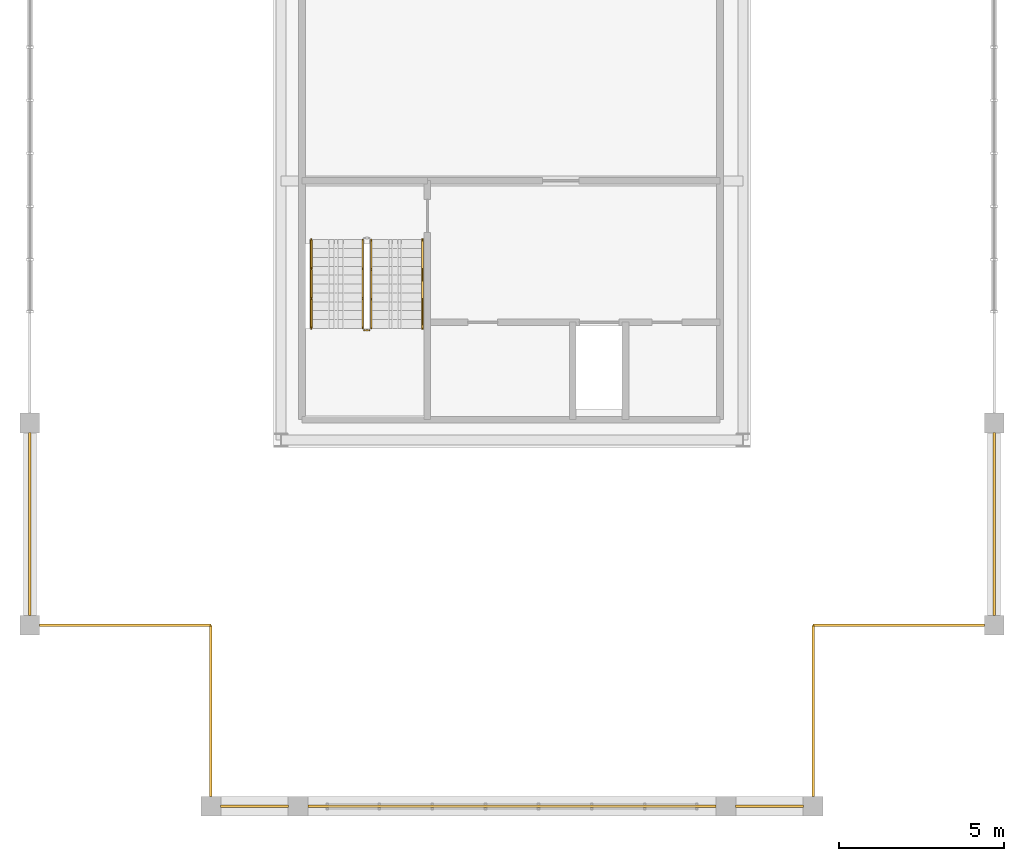
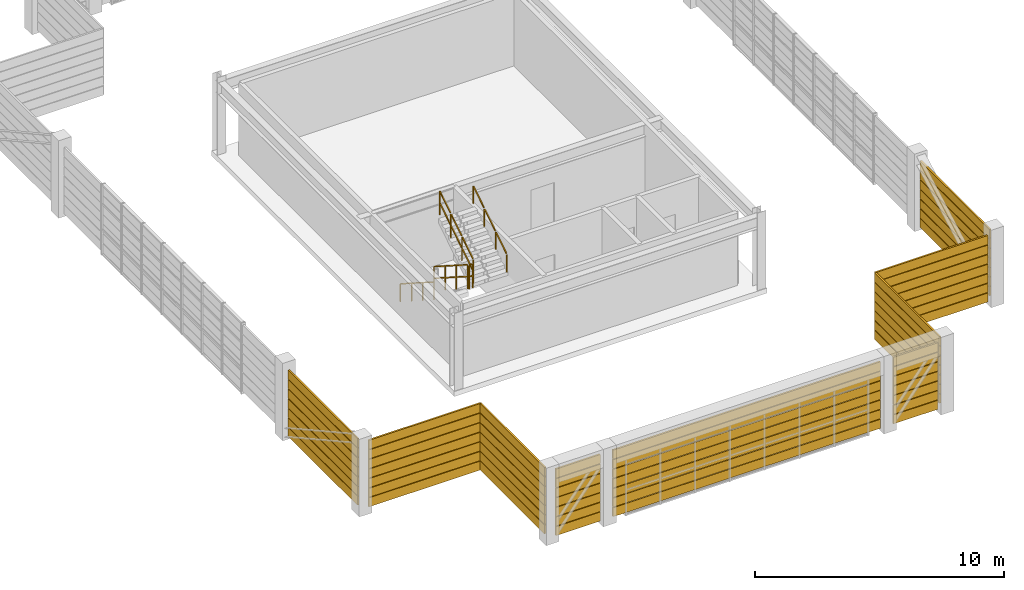
# One storey, part 19 of 21: 63 shading devices, 5 railings.
"""IFC4 building model written with IfcOpenShell, lengths in metres."""

from ifc_helpers import new_model, si_unit, direction, frame, origin, origin_2d, place, context, subcontext, project, spatial, rectangle, extrude, source, transform, mapped, material, material_profile, profile_set, type_object, element, save


model = new_model("IFC4")

# Units and contexts
model_context = context("Model", 3, precision=1e-05, world=origin(), true_north=direction((0.0, 1.0)))
body_context = subcontext(model_context, "Body", "Model", "MODEL_VIEW")
ifc_project = project(units=[si_unit("LENGTHUNIT", "METRE"), si_unit("AREAUNIT", "SQUARE_METRE"), si_unit("VOLUMEUNIT", "CUBIC_METRE"), si_unit("PLANEANGLEUNIT", "RADIAN"), si_unit("MASSUNIT", "GRAM", prefix="KILO")], contexts=[model_context])

# Site, building, storey
site_placement = place(None, origin())
site = spatial("IfcSite", under=ifc_project, at=site_placement, CompositionType="ELEMENT")
building_placement = place(site_placement, origin())
building = spatial("IfcBuilding", under=site, at=building_placement, Name="Saelheon Loggia Tower", CompositionType="ELEMENT")
storey_placement = place(building_placement, frame((0.0, 0.0, 259.800048828125)))
storey = spatial("IfcBuildingStorey", under=building, at=storey_placement, Name="CR3", CompositionType="ELEMENT", Elevation=259.800048828125)

# Railings
ifc_material_1 = material(Name="Galvanised Steel S275 Stairwell Guardrail", Category="steel")
railing_type_1 = type_object("IfcRailingType", Name="Guard_StairWell_RL_STG", PredefinedType="GUARDRAIL", material=ifc_material_1)
railing_1_placement = place(storey_placement, frame((33.4599609375, 23.570068359375, 0.172607421875)))
element("IfcRailing", 1, at=railing_1_placement, inside=storey, type_object=railing_type_1, Name="CR3 ST5 stair guard 1", PredefinedType="GUARDRAIL", context=body_context, shape_type="SweptSolid", body=[
    extrude(rectangle(XDim=0.048095703125, YDim=0.048095703125, at=origin_2d()), frame((0.0, -0.028076171875, 1.19384765625), z_axis=(0.0, -0.842366838036, 0.538904546443), x_axis=(1.0, 0.0, 0.0)), (0.0, 0.0, 1.0), 1.001953125),
    extrude(rectangle(XDim=0.048095703125, YDim=0.048095703125, at=origin_2d()), frame((0.0, -0.028076171875, 0.617919921875), z_axis=(0.0, -0.842366838036, 0.538904546443), x_axis=(1.0, 0.0, 0.0)), (0.0, 0.0, 1.0), 1.001953125),
    extrude(rectangle(XDim=0.048095703125, YDim=0.048095703125, at=origin_2d()), frame((0.0, -0.927978515625, 1.76953125), z_axis=(0.0, -0.842366838036, 0.538904546443), x_axis=(1.0, 0.0, 0.0)), (0.0, 0.0, 1.0), 1.001953125),
    extrude(rectangle(XDim=0.048095703125, YDim=0.048095703125, at=origin_2d()), frame((0.0, -0.927978515625, 1.193603515625), z_axis=(0.0, -0.842366838036, 0.538904546443), x_axis=(1.0, 0.0, 0.0)), (0.0, 0.0, 1.0), 1.001953125),
    extrude(rectangle(XDim=0.048095703125, YDim=0.048095703125, at=origin_2d()), frame((0.0, -1.827880859375, 2.345458984375), z_axis=(0.0, -0.842366838036, 0.538904546443), x_axis=(1.0, 0.0, 0.0)), (0.0, 0.0, 1.0), 1.001953125),
    extrude(rectangle(XDim=0.048095703125, YDim=0.048095703125, at=origin_2d()), frame((0.0, -1.827880859375, 1.76953125), z_axis=(0.0, -0.842366838036, 0.538904546443), x_axis=(1.0, 0.0, 0.0)), (0.0, 0.0, 1.0), 1.001953125),
    extrude(rectangle(XDim=0.0419921875, YDim=0.0419921875, at=origin_2d()), origin(), (0.0, 0.0, 1.0), 1.14794921875),
    extrude(rectangle(XDim=0.0419921875, YDim=0.0419921875, at=origin_2d()), frame((0.0, -0.89990234375, 0.57568359375)), (0.0, 0.0, 1.0), 1.14794921875),
    extrude(rectangle(XDim=0.0419921875, YDim=0.0419921875, at=origin_2d()), frame((0.0, -1.800048828125, 1.151611328125)), (0.0, 0.0, 1.0), 1.14794921875),
    extrude(rectangle(XDim=0.0419921875, YDim=0.0419921875, at=origin_2d()), frame((0.0, -2.699951171875, 1.727294921875)), (0.0, 0.0, 1.0), 1.14794921875),
])
railing_2_placement = place(storey_placement, frame((33.510009765625, 20.820068359375, 1.89990234375)))
element("IfcRailing", 2, at=railing_2_placement, inside=storey, type_object=railing_type_1, Name="CR3 ST5 stair guard 2", PredefinedType="GUARDRAIL", context=body_context, shape_type="SweptSolid", body=[
    extrude(rectangle(XDim=0.048095703125, YDim=0.048095703125, at=origin_2d()), frame((0.033203125, 0.0, 1.17578125), z_axis=(1.0, 0.0, 0.0), x_axis=(0.0, 1.0, 0.0)), (0.0, 0.0, 1.0), 0.093505859375),
    extrude(rectangle(XDim=0.048095703125, YDim=0.048095703125, at=origin_2d()), frame((0.033203125, 0.0, 0.60009765625), z_axis=(1.0, 0.0, 0.0), x_axis=(0.0, 1.0, 0.0)), (0.0, 0.0, 1.0), 0.093505859375),
    extrude(rectangle(XDim=0.0419921875, YDim=0.0419921875, at=origin_2d()), origin(), (0.0, 0.0, 1.0), 1.14794921875),
    extrude(rectangle(XDim=0.0419921875, YDim=0.0419921875, at=origin_2d()), frame((0.159912109375, 0.0, 0.0)), (0.0, 0.0, 1.0), 1.14794921875),
])
railing_3_placement = place(storey_placement, frame((33.719970703125, 20.8701171875, 2.07275390625)))
element("IfcRailing", 3, at=railing_3_placement, inside=storey, type_object=railing_type_1, Name="CR3 ST5 stair guard 3", PredefinedType="GUARDRAIL", context=body_context, shape_type="SweptSolid", body=[
    extrude(rectangle(XDim=0.048095703125, YDim=0.048095703125, at=origin_2d()), frame((0.0, 0.028076171875, 1.19384765625), z_axis=(0.0, 0.842366838036, 0.538904546443), x_axis=(-1.0, 0.0, 0.0)), (0.0, 0.0, 1.0), 1.001953125),
    extrude(rectangle(XDim=0.048095703125, YDim=0.048095703125, at=origin_2d()), frame((0.0, 0.028076171875, 0.617919921875), z_axis=(0.0, 0.842366838036, 0.538904546443), x_axis=(-1.0, 0.0, 0.0)), (0.0, 0.0, 1.0), 1.001953125),
    extrude(rectangle(XDim=0.048095703125, YDim=0.048095703125, at=origin_2d()), frame((0.0, 0.927978515625, 1.76953125), z_axis=(0.0, 0.842366838036, 0.538904546443), x_axis=(-1.0, 0.0, 0.0)), (0.0, 0.0, 1.0), 1.001953125),
    extrude(rectangle(XDim=0.048095703125, YDim=0.048095703125, at=origin_2d()), frame((0.0, 0.927978515625, 1.193603515625), z_axis=(0.0, 0.842366838036, 0.538904546443), x_axis=(-1.0, 0.0, 0.0)), (0.0, 0.0, 1.0), 1.001953125),
    extrude(rectangle(XDim=0.048095703125, YDim=0.048095703125, at=origin_2d()), frame((0.0, 1.827880859375, 2.345458984375), z_axis=(0.0, 0.842366838036, 0.538904546443), x_axis=(-1.0, 0.0, 0.0)), (0.0, 0.0, 1.0), 1.001953125),
    extrude(rectangle(XDim=0.048095703125, YDim=0.048095703125, at=origin_2d()), frame((0.0, 1.827880859375, 1.76953125), z_axis=(0.0, 0.842366838036, 0.538904546443), x_axis=(-1.0, 0.0, 0.0)), (0.0, 0.0, 1.0), 1.001953125),
    extrude(rectangle(XDim=0.0419921875, YDim=0.0419921875, at=origin_2d()), origin(), (0.0, 0.0, 1.0), 1.14794921875),
    extrude(rectangle(XDim=0.0419921875, YDim=0.0419921875, at=origin_2d()), frame((0.0, 0.89990234375, 0.57568359375)), (0.0, 0.0, 1.0), 1.14794921875),
    extrude(rectangle(XDim=0.0419921875, YDim=0.0419921875, at=origin_2d()), frame((0.0, 1.800048828125, 1.151611328125)), (0.0, 0.0, 1.0), 1.14794921875),
    extrude(rectangle(XDim=0.0419921875, YDim=0.0419921875, at=origin_2d()), frame((0.0, 2.699951171875, 1.727294921875)), (0.0, 0.0, 1.0), 1.14794921875),
])
ifc_material_2 = material(Name="Stainless Steel 304 Tubular Handrail", Category="steel")
railing_type_2 = type_object("IfcRailingType", Name="Handrail_Stair_RL_HR1", PredefinedType="HANDRAIL", material=ifc_material_2)
railing_4_placement = place(storey_placement, frame((31.89990234375, 23.570068359375, 0.172607421875)))
element("IfcRailing", 4, at=railing_4_placement, inside=storey, type_object=railing_type_2, Name="CR3 ST5 stair handrail 1", PredefinedType="HANDRAIL", context=body_context, shape_type="SweptSolid", body=[
    extrude(rectangle(XDim=0.048095703125, YDim=0.048095703125, at=origin_2d()), frame((0.0, -0.028076171875, 0.893798828125), z_axis=(0.0, -0.842366838036, 0.538904546443), x_axis=(1.0, 0.0, 0.0)), (0.0, 0.0, 1.0), 1.001953125),
    extrude(rectangle(XDim=0.048095703125, YDim=0.048095703125, at=origin_2d()), frame((0.0, -0.927978515625, 1.469482421875), z_axis=(0.0, -0.842366838036, 0.538904546443), x_axis=(1.0, 0.0, 0.0)), (0.0, 0.0, 1.0), 1.001953125),
    extrude(rectangle(XDim=0.048095703125, YDim=0.048095703125, at=origin_2d()), frame((0.0, -1.827880859375, 2.04541015625), z_axis=(0.0, -0.842366838036, 0.538904546443), x_axis=(1.0, 0.0, 0.0)), (0.0, 0.0, 1.0), 1.001953125),
    extrude(rectangle(XDim=0.0419921875, YDim=0.0419921875, at=origin_2d()), origin(), (0.0, 0.0, 1.0), 0.847900390625),
    extrude(rectangle(XDim=0.0419921875, YDim=0.0419921875, at=origin_2d()), frame((0.0, -0.89990234375, 0.57568359375)), (0.0, 0.0, 1.0), 0.847900390625),
    extrude(rectangle(XDim=0.0419921875, YDim=0.0419921875, at=origin_2d()), frame((0.0, -1.800048828125, 1.151611328125)), (0.0, 0.0, 1.0), 0.847900390625),
    extrude(rectangle(XDim=0.0419921875, YDim=0.0419921875, at=origin_2d()), frame((0.0, -2.699951171875, 1.727294921875)), (0.0, 0.0, 1.0), 0.847900390625),
])
railing_5_placement = place(storey_placement, frame((35.280029296875, 20.8701171875, 2.07275390625)))
element("IfcRailing", 5, at=railing_5_placement, inside=storey, type_object=railing_type_2, Name="CR3 ST5 stair handrail 2", PredefinedType="HANDRAIL", context=body_context, shape_type="SweptSolid", body=[
    extrude(rectangle(XDim=0.048095703125, YDim=0.048095703125, at=origin_2d()), frame((0.0, 0.028076171875, 0.893798828125), z_axis=(0.0, 0.842366838036, 0.538904546443), x_axis=(-1.0, 0.0, 0.0)), (0.0, 0.0, 1.0), 1.001953125),
    extrude(rectangle(XDim=0.048095703125, YDim=0.048095703125, at=origin_2d()), frame((0.0, 0.927978515625, 1.469482421875), z_axis=(0.0, 0.842366838036, 0.538904546443), x_axis=(-1.0, 0.0, 0.0)), (0.0, 0.0, 1.0), 1.001953125),
    extrude(rectangle(XDim=0.048095703125, YDim=0.048095703125, at=origin_2d()), frame((0.0, 1.827880859375, 2.04541015625), z_axis=(0.0, 0.842366838036, 0.538904546443), x_axis=(-1.0, 0.0, 0.0)), (0.0, 0.0, 1.0), 1.001953125),
    extrude(rectangle(XDim=0.0419921875, YDim=0.0419921875, at=origin_2d()), origin(), (0.0, 0.0, 1.0), 0.847900390625),
    extrude(rectangle(XDim=0.0419921875, YDim=0.0419921875, at=origin_2d()), frame((0.0, 0.89990234375, 0.57568359375)), (0.0, 0.0, 1.0), 0.847900390625),
    extrude(rectangle(XDim=0.0419921875, YDim=0.0419921875, at=origin_2d()), frame((0.0, 1.800048828125, 1.151611328125)), (0.0, 0.0, 1.0), 0.847900390625),
    extrude(rectangle(XDim=0.0419921875, YDim=0.0419921875, at=origin_2d()), frame((0.0, 2.699951171875, 1.727294921875)), (0.0, 0.0, 1.0), 0.847900390625),
])

# Shading devices
ifc_material_3 = material(Name="Bronze-Anodised Aluminium 6063-T6", Category="aluminium")
ifc_material_profile = material_profile(ifc_material_3, rectangle(XDim=0.080078125, YDim=0.43994140625, at=origin_2d()), Name="Louvre_CrownBlade_250")
ifc_profile_set = profile_set([ifc_material_profile], Name="Bronze-Anodised Aluminium 6063-T6")
shading_device_type = type_object("IfcShadingDeviceType", Name="Louvre_CrownBlade_250", PredefinedType="AWNING", material=ifc_profile_set)
shared_shape_1 = source(origin(), body_context, "Body", "SweptSolid", [
    extrude(rectangle(XDim=0.080078125, YDim=0.43994140625, at=origin_2d()), origin(), (0.0, 0.0, 1.0), 2.06005859375),
])
for number, where, z_axis, x_axis, name in (
    (6, (29.14501953125, 6.35009765625, 0.349853515625), (1.0, 0.0, 0.0), (0.0, 1.0, 0.0), "CR3 Crown Screen Horizontal Blade"),
    (7, (29.14501953125, 6.35009765625, 0.820068359375), (1.0, 0.0, 0.0), (0.0, 1.0, 0.0), "CR3 Crown Screen Horizontal Blade"),
    (8, (29.14501953125, 6.35009765625, 1.2900390625), (1.0, 0.0, 0.0), (0.0, 1.0, 0.0), "CR3 Crown Screen Horizontal Blade"),
    (9, (29.14501953125, 6.35009765625, 1.760009765625), (1.0, 0.0, 0.0), (0.0, 1.0, 0.0), "CR3 Crown Screen Horizontal Blade"),
    (10, (29.14501953125, 6.35009765625, 2.22998046875), (1.0, 0.0, 0.0), (0.0, 1.0, 0.0), "CR3 Crown Screen Horizontal Blade"),
    (11, (29.14501953125, 6.35009765625, 2.699951171875), (1.0, 0.0, 0.0), (0.0, 1.0, 0.0), "CR3 Crown Screen Horizontal Blade"),
    (12, (29.14501953125, 6.35009765625, 3.169921875), (1.0, 0.0, 0.0), (0.0, 1.0, 0.0), "CR3 Crown Screen Horizontal Blade"),
    (13, (44.794921875, 6.35009765625, 0.349853515625), (1.0, 0.0, 0.0), (0.0, 1.0, 0.0), "CR3 Crown Screen Horizontal Blade"),
    (14, (44.794921875, 6.35009765625, 0.820068359375), (1.0, 0.0, 0.0), (0.0, 1.0, 0.0), "CR3 Crown Screen Horizontal Blade"),
    (15, (44.794921875, 6.35009765625, 1.2900390625), (1.0, 0.0, 0.0), (0.0, 1.0, 0.0), "CR3 Crown Screen Horizontal Blade"),
    (16, (44.794921875, 6.35009765625, 1.760009765625), (1.0, 0.0, 0.0), (0.0, 1.0, 0.0), "CR3 Crown Screen Horizontal Blade"),
    (17, (44.794921875, 6.35009765625, 2.22998046875), (1.0, 0.0, 0.0), (0.0, 1.0, 0.0), "CR3 Crown Screen Horizontal Blade"),
    (18, (44.794921875, 6.35009765625, 2.699951171875), (1.0, 0.0, 0.0), (0.0, 1.0, 0.0), "CR3 Crown Screen Horizontal Blade"),
    (19, (44.794921875, 6.35009765625, 3.169921875), (1.0, 0.0, 0.0), (0.0, 1.0, 0.0), "CR3 Crown Screen Horizontal Blade"),
):
    element("IfcShadingDevice", number, at=place(storey_placement, frame(where, z_axis=z_axis, x_axis=x_axis)), inside=storey, type_object=shading_device_type, Name=name, PredefinedType="AWNING", context=body_context, shape_type="MappedRepresentation", body=[
        mapped(shared_shape_1, transform((0.0, 0.0, 0.0), scale=1.0)),
    ])
shared_shape_2 = source(origin(), body_context, "Body", "SweptSolid", [
    extrude(rectangle(XDim=0.080078125, YDim=0.43994140625, at=origin_2d()), origin(), (0.0, 0.0, 1.0), 12.41015625),
])
for number, where, z_axis, x_axis, name in (
    (20, (31.794921875, 6.35009765625, 0.349853515625), (1.0, 0.0, 0.0), (0.0, 1.0, 0.0), "CR3 Crown Screen Horizontal Blade"),
    (21, (31.794921875, 6.35009765625, 0.820068359375), (1.0, 0.0, 0.0), (0.0, 1.0, 0.0), "CR3 Crown Screen Horizontal Blade"),
    (22, (31.794921875, 6.35009765625, 1.2900390625), (1.0, 0.0, 0.0), (0.0, 1.0, 0.0), "CR3 Crown Screen Horizontal Blade"),
    (23, (31.794921875, 6.35009765625, 1.760009765625), (1.0, 0.0, 0.0), (0.0, 1.0, 0.0), "CR3 Crown Screen Horizontal Blade"),
    (24, (31.794921875, 6.35009765625, 2.22998046875), (1.0, 0.0, 0.0), (0.0, 1.0, 0.0), "CR3 Crown Screen Horizontal Blade"),
    (25, (31.794921875, 6.35009765625, 2.699951171875), (1.0, 0.0, 0.0), (0.0, 1.0, 0.0), "CR3 Crown Screen Horizontal Blade"),
    (26, (31.794921875, 6.35009765625, 3.169921875), (1.0, 0.0, 0.0), (0.0, 1.0, 0.0), "CR3 Crown Screen Horizontal Blade"),
):
    element("IfcShadingDevice", number, at=place(storey_placement, frame(where, z_axis=z_axis, x_axis=x_axis)), inside=storey, type_object=shading_device_type, Name=name, PredefinedType="AWNING", context=body_context, shape_type="MappedRepresentation", body=[
        mapped(shared_shape_2, transform((0.0, 0.0, 0.0), scale=1.0)),
    ])
shared_shape_3 = source(origin(), body_context, "Body", "SweptSolid", [
    extrude(rectangle(XDim=0.080078125, YDim=0.43994140625, at=origin_2d()), origin(), (0.0, 0.0, 1.0), 5.205078125),
])
for number, where, z_axis, x_axis, name in (
    (27, (47.14990234375, 6.64501953125, 0.349853515625), (0.0, 1.0, 0.0), (-1.0, 0.0, 0.0), "CR3 Crown Screen Horizontal Blade"),
    (28, (47.14990234375, 6.64501953125, 0.820068359375), (0.0, 1.0, 0.0), (-1.0, 0.0, 0.0), "CR3 Crown Screen Horizontal Blade"),
    (29, (47.14990234375, 6.64501953125, 1.2900390625), (0.0, 1.0, 0.0), (-1.0, 0.0, 0.0), "CR3 Crown Screen Horizontal Blade"),
    (30, (47.14990234375, 6.64501953125, 1.760009765625), (0.0, 1.0, 0.0), (-1.0, 0.0, 0.0), "CR3 Crown Screen Horizontal Blade"),
    (31, (47.14990234375, 6.64501953125, 2.22998046875), (0.0, 1.0, 0.0), (-1.0, 0.0, 0.0), "CR3 Crown Screen Horizontal Blade"),
    (32, (47.14990234375, 6.64501953125, 2.699951171875), (0.0, 1.0, 0.0), (-1.0, 0.0, 0.0), "CR3 Crown Screen Horizontal Blade"),
    (33, (47.14990234375, 6.64501953125, 3.169921875), (0.0, 1.0, 0.0), (-1.0, 0.0, 0.0), "CR3 Crown Screen Horizontal Blade"),
    (34, (47.14990234375, 11.85009765625, 0.349853515625), (1.0, 0.0, 0.0), (0.0, 1.0, 0.0), "CR3 Crown Screen Horizontal Blade"),
    (35, (47.14990234375, 11.85009765625, 0.820068359375), (1.0, 0.0, 0.0), (0.0, 1.0, 0.0), "CR3 Crown Screen Horizontal Blade"),
    (36, (47.14990234375, 11.85009765625, 1.2900390625), (1.0, 0.0, 0.0), (0.0, 1.0, 0.0), "CR3 Crown Screen Horizontal Blade"),
    (37, (47.14990234375, 11.85009765625, 1.760009765625), (1.0, 0.0, 0.0), (0.0, 1.0, 0.0), "CR3 Crown Screen Horizontal Blade"),
    (38, (47.14990234375, 11.85009765625, 2.22998046875), (1.0, 0.0, 0.0), (0.0, 1.0, 0.0), "CR3 Crown Screen Horizontal Blade"),
    (39, (47.14990234375, 11.85009765625, 2.699951171875), (1.0, 0.0, 0.0), (0.0, 1.0, 0.0), "CR3 Crown Screen Horizontal Blade"),
    (40, (47.14990234375, 11.85009765625, 3.169921875), (1.0, 0.0, 0.0), (0.0, 1.0, 0.0), "CR3 Crown Screen Horizontal Blade"),
    (41, (23.64501953125, 11.85009765625, 0.349853515625), (1.0, 0.0, 0.0), (0.0, 1.0, 0.0), "CR3 Crown Screen Horizontal Blade"),
    (42, (23.64501953125, 11.85009765625, 0.820068359375), (1.0, 0.0, 0.0), (0.0, 1.0, 0.0), "CR3 Crown Screen Horizontal Blade"),
    (43, (23.64501953125, 11.85009765625, 1.2900390625), (1.0, 0.0, 0.0), (0.0, 1.0, 0.0), "CR3 Crown Screen Horizontal Blade"),
    (44, (23.64501953125, 11.85009765625, 1.760009765625), (1.0, 0.0, 0.0), (0.0, 1.0, 0.0), "CR3 Crown Screen Horizontal Blade"),
    (45, (23.64501953125, 11.85009765625, 2.22998046875), (1.0, 0.0, 0.0), (0.0, 1.0, 0.0), "CR3 Crown Screen Horizontal Blade"),
    (46, (23.64501953125, 11.85009765625, 2.699951171875), (1.0, 0.0, 0.0), (0.0, 1.0, 0.0), "CR3 Crown Screen Horizontal Blade"),
    (47, (23.64501953125, 11.85009765625, 3.169921875), (1.0, 0.0, 0.0), (0.0, 1.0, 0.0), "CR3 Crown Screen Horizontal Blade"),
    (48, (28.85009765625, 11.85009765625, 0.349853515625), (0.0, -1.0, 0.0), (1.0, 0.0, 0.0), "CR3 Crown Screen Horizontal Blade"),
    (49, (28.85009765625, 11.85009765625, 0.820068359375), (0.0, -1.0, 0.0), (1.0, 0.0, 0.0), "CR3 Crown Screen Horizontal Blade"),
    (50, (28.85009765625, 11.85009765625, 1.2900390625), (0.0, -1.0, 0.0), (1.0, 0.0, 0.0), "CR3 Crown Screen Horizontal Blade"),
    (51, (28.85009765625, 11.85009765625, 1.760009765625), (0.0, -1.0, 0.0), (1.0, 0.0, 0.0), "CR3 Crown Screen Horizontal Blade"),
    (52, (28.85009765625, 11.85009765625, 2.22998046875), (0.0, -1.0, 0.0), (1.0, 0.0, 0.0), "CR3 Crown Screen Horizontal Blade"),
    (53, (28.85009765625, 11.85009765625, 2.699951171875), (0.0, -1.0, 0.0), (1.0, 0.0, 0.0), "CR3 Crown Screen Horizontal Blade"),
    (54, (28.85009765625, 11.85009765625, 3.169921875), (0.0, -1.0, 0.0), (1.0, 0.0, 0.0), "CR3 Crown Screen Horizontal Blade"),
):
    element("IfcShadingDevice", number, at=place(storey_placement, frame(where, z_axis=z_axis, x_axis=x_axis)), inside=storey, type_object=shading_device_type, Name=name, PredefinedType="AWNING", context=body_context, shape_type="MappedRepresentation", body=[
        mapped(shared_shape_3, transform((0.0, 0.0, 0.0), scale=1.0)),
    ])
shared_shape_4 = source(origin(), body_context, "Body", "SweptSolid", [
    extrude(rectangle(XDim=0.080078125, YDim=0.43994140625, at=origin_2d()), origin(), (0.0, 0.0, 1.0), 5.56005859375),
])
for number, where, z_axis, x_axis, name in (
    (55, (52.64990234375, 12.14501953125, 0.349853515625), (0.0, 1.0, 0.0), (-1.0, 0.0, 0.0), "CR3 Crown Screen Horizontal Blade"),
    (56, (52.64990234375, 12.14501953125, 0.820068359375), (0.0, 1.0, 0.0), (-1.0, 0.0, 0.0), "CR3 Crown Screen Horizontal Blade"),
    (57, (52.64990234375, 12.14501953125, 1.2900390625), (0.0, 1.0, 0.0), (-1.0, 0.0, 0.0), "CR3 Crown Screen Horizontal Blade"),
    (58, (52.64990234375, 12.14501953125, 1.760009765625), (0.0, 1.0, 0.0), (-1.0, 0.0, 0.0), "CR3 Crown Screen Horizontal Blade"),
    (59, (52.64990234375, 12.14501953125, 2.22998046875), (0.0, 1.0, 0.0), (-1.0, 0.0, 0.0), "CR3 Crown Screen Horizontal Blade"),
    (60, (52.64990234375, 12.14501953125, 2.699951171875), (0.0, 1.0, 0.0), (-1.0, 0.0, 0.0), "CR3 Crown Screen Horizontal Blade"),
    (61, (52.64990234375, 12.14501953125, 3.169921875), (0.0, 1.0, 0.0), (-1.0, 0.0, 0.0), "CR3 Crown Screen Horizontal Blade"),
    (62, (23.35009765625, 17.705078125, 0.349853515625), (0.0, -1.0, 0.0), (1.0, 0.0, 0.0), "CR3 Crown Screen Horizontal Blade"),
    (63, (23.35009765625, 17.705078125, 0.820068359375), (0.0, -1.0, 0.0), (1.0, 0.0, 0.0), "CR3 Crown Screen Horizontal Blade"),
    (64, (23.35009765625, 17.705078125, 1.2900390625), (0.0, -1.0, 0.0), (1.0, 0.0, 0.0), "CR3 Crown Screen Horizontal Blade"),
    (65, (23.35009765625, 17.705078125, 1.760009765625), (0.0, -1.0, 0.0), (1.0, 0.0, 0.0), "CR3 Crown Screen Horizontal Blade"),
    (66, (23.35009765625, 17.705078125, 2.22998046875), (0.0, -1.0, 0.0), (1.0, 0.0, 0.0), "CR3 Crown Screen Horizontal Blade"),
    (67, (23.35009765625, 17.705078125, 2.699951171875), (0.0, -1.0, 0.0), (1.0, 0.0, 0.0), "CR3 Crown Screen Horizontal Blade"),
    (68, (23.35009765625, 17.705078125, 3.169921875), (0.0, -1.0, 0.0), (1.0, 0.0, 0.0), "CR3 Crown Screen Horizontal Blade"),
):
    element("IfcShadingDevice", number, at=place(storey_placement, frame(where, z_axis=z_axis, x_axis=x_axis)), inside=storey, type_object=shading_device_type, Name=name, PredefinedType="AWNING", context=body_context, shape_type="MappedRepresentation", body=[
        mapped(shared_shape_4, transform((0.0, 0.0, 0.0), scale=1.0)),
    ])

save(model, "model.ifc")
